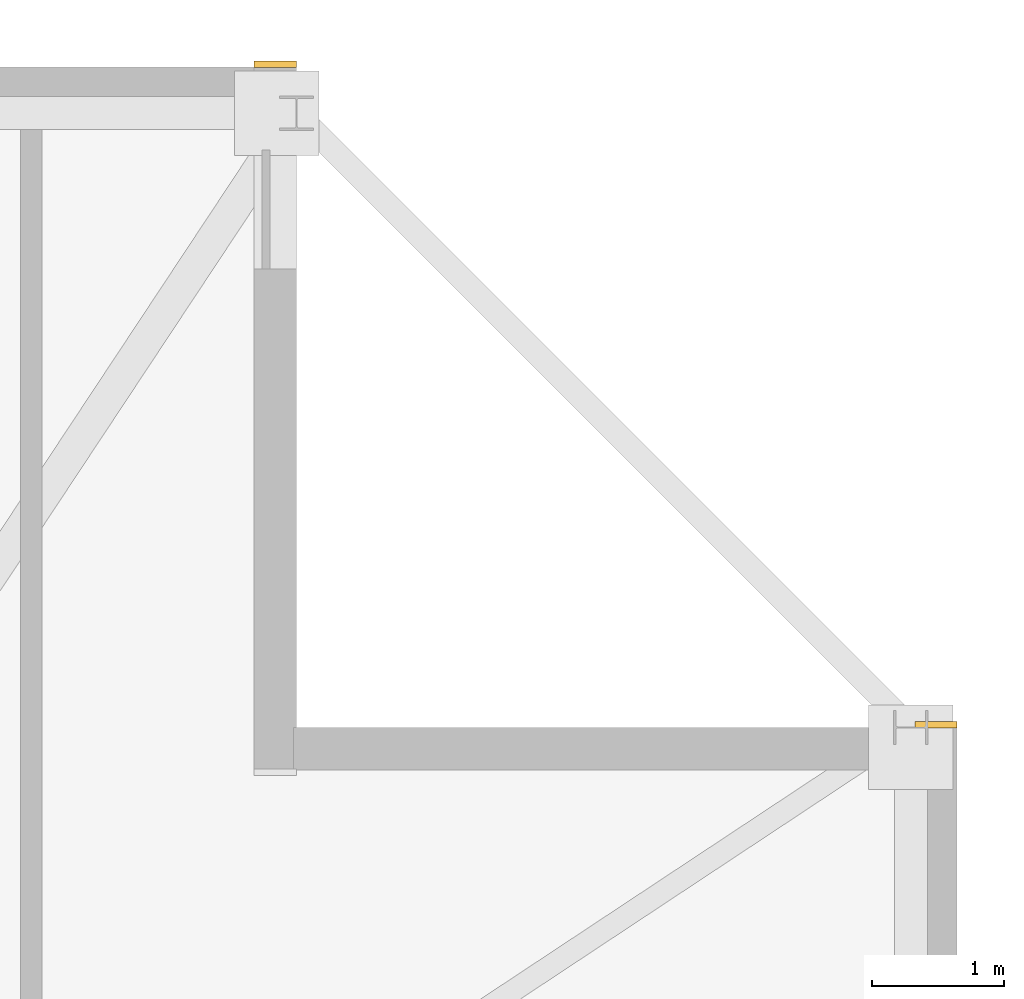
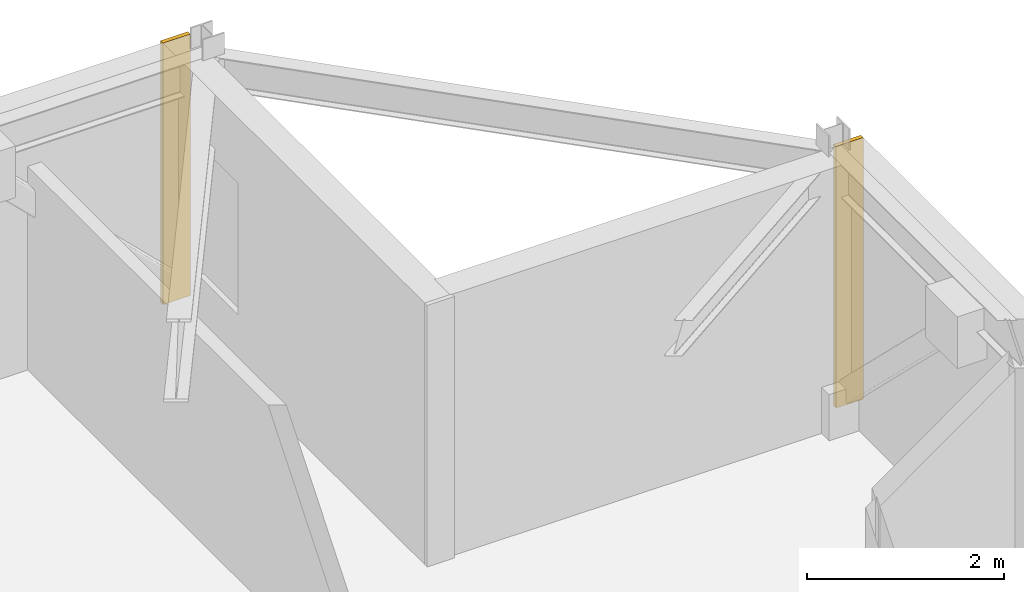
# One storey, part 17 of 17: 2 coverings.
"""IFC4 building model written with IfcOpenShell, lengths in metres."""

from ifc_helpers import new_model, si_unit, direction, frame, frame_2d, origin, place, context, subcontext, project, spatial, rectangle, extrude, material, layer, layer_set, type_object, element, save


model = new_model("IFC4")

# Units and contexts
model_context = context("Model", 3, precision=1e-05, world=origin(), true_north=direction((0.0, 1.0)))
body_context = subcontext(model_context, "Body", "Model", "MODEL_VIEW")
ifc_project = project(units=[si_unit("LENGTHUNIT", "METRE"), si_unit("AREAUNIT", "SQUARE_METRE"), si_unit("VOLUMEUNIT", "CUBIC_METRE"), si_unit("PLANEANGLEUNIT", "RADIAN"), si_unit("MASSUNIT", "GRAM", prefix="KILO")], contexts=[model_context])

# Site, building, storey
site_placement = place(None, origin())
site = spatial("IfcSite", under=ifc_project, at=site_placement, CompositionType="ELEMENT")
building_placement = place(site_placement, origin())
building = spatial("IfcBuilding", under=site, at=building_placement, Name="Cairnveth Concourse Tower", CompositionType="ELEMENT")
storey_placement = place(building_placement, frame((0.0, 0.0, 272.5)))
storey = spatial("IfcBuildingStorey", under=building, at=storey_placement, Name="L75", CompositionType="ELEMENT", Elevation=272.5)

# Coverings
ifc_material = material(Name="Dressed Melbourne Bluestone Cladding", Category="masonry")
ifc_layer = layer(ifc_material, 0.050048828125)
ifc_layer_set = layer_set([ifc_layer], Name="Dressed Melbourne Bluestone Cladding")
covering_type = type_object("IfcCoveringType", Name="DRESSED BLUESTONE PLINTH CLADDING 50", PredefinedType="CLADDING", material=ifc_layer_set)
for number, where, z_axis, x_axis, name in (
    (1, (69.179931640625, 61.52001953125, 0.0), (0.0, 0.0, 1.0), (1.0, 0.0, 0.0), "Melbourne Bluestone Corner Quoin L75-1142"),
    (2, (74.179931640625, 56.52001953125, 0.0), (0.0, 0.0, 1.0), (1.0, 0.0, 0.0), "Melbourne Bluestone Corner Quoin L75-1144"),
):
    element("IfcCovering", number, at=place(storey_placement, frame(where, z_axis=z_axis, x_axis=x_axis)), inside=storey, type_object=covering_type, Name=name, PredefinedType="CLADDING", context=body_context, shape_type="SweptSolid", body=[
        extrude(rectangle(XDim=0.320068359375, YDim=0.050048828125, at=frame_2d((0.16015625, 0.0))), origin(), (0.0, 0.0, 1.0), 3.239990234375),
    ])

save(model, "model.ifc")
